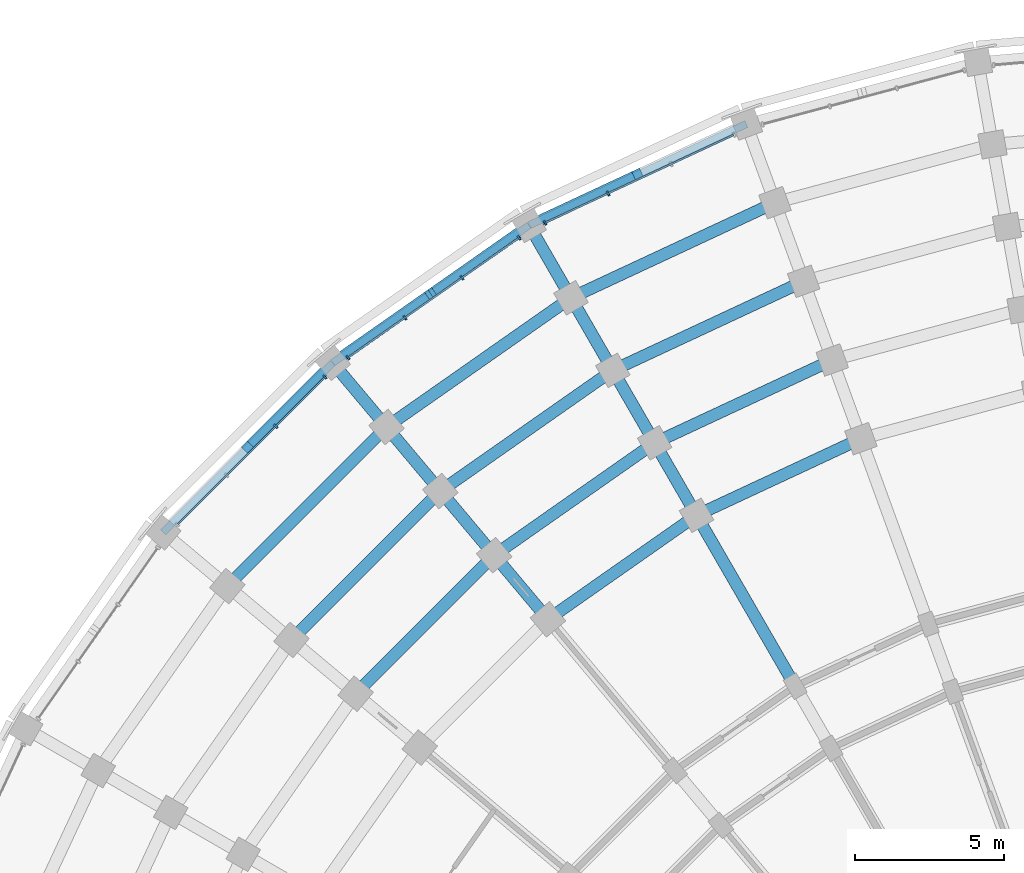
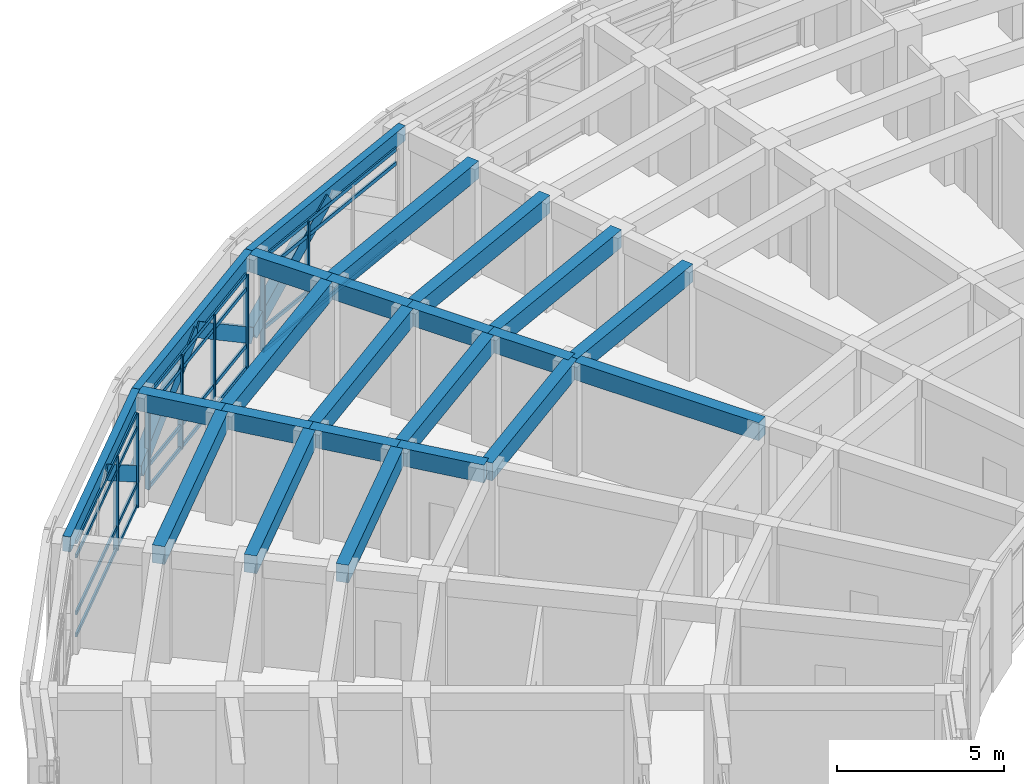
# One storey, part 23 of 97: 27 beams, 20 members, 3 elements without a shape of their own.
"""IFC4 building model written with IfcOpenShell, lengths in metres."""

from ifc_helpers import new_model, si_unit, direction, frame, origin, origin_2d, place, context, subcontext, project, spatial, rectangle, extrude, material, material_profile, profile_set, type_object, element, aggregate, save


model = new_model("IFC4")

# Units and contexts
model_context = context("Model", 3, precision=1e-05, world=origin(), true_north=direction((0.0, 1.0)))
body_context = subcontext(model_context, "Body", "Model", "MODEL_VIEW")
ifc_project = project(units=[si_unit("LENGTHUNIT", "METRE"), si_unit("AREAUNIT", "SQUARE_METRE"), si_unit("VOLUMEUNIT", "CUBIC_METRE"), si_unit("PLANEANGLEUNIT", "RADIAN"), si_unit("MASSUNIT", "GRAM", prefix="KILO")], contexts=[model_context])

# Site, building, storey
site_placement = place(None, origin())
site = spatial("IfcSite", under=ifc_project, at=site_placement, CompositionType="ELEMENT")
building_placement = place(site_placement, origin())
building = spatial("IfcBuilding", under=site, at=building_placement, Name="Kiranvali Square Residences", CompositionType="ELEMENT")
storey_placement = place(building_placement, frame((0.0, 0.0, 4.5)))
storey = spatial("IfcBuildingStorey", under=building, at=storey_placement, Name="L01", CompositionType="ELEMENT", Elevation=4.5)

# Beams
ifc_material_1 = material(Name="Concrete M40 (40 MPa)", Category="concrete")
ifc_material_profile_1 = material_profile(ifc_material_1, rectangle(XDim=0.35009765625, YDim=0.5, at=origin_2d()), Name="RC 350x500")
ifc_profile_set_1 = profile_set([ifc_material_profile_1], Name="Concrete M40 (40 MPa)")
beam_type_1 = type_object("IfcBeamType", Name="AR-M40-350x500", PredefinedType="USERDEFINED", material=ifc_profile_set_1)
beam_1_placement = place(storey_placement, frame((28.83349609375, 129.33154296875, 3.64990234375), z_axis=(-0.744959817365, -0.347401853205, -0.56951455021), x_axis=(0.422639631689, -0.906297821759, 0.0)))
element("IfcBeam", 1, at=beam_1_placement, inside=storey, type_object=beam_type_1, Name="Classical pointed Ottoman arch rib ARCH-A-CRV-7-02.2", ObjectType="ARCH RIB", PredefinedType="USERDEFINED", context=body_context, shape_type="SweptSolid", body=[
    extrude(rectangle(XDim=0.35009765625, YDim=0.5, at=origin_2d()), origin(), (0.0, 0.0, 1.0), 4.82861328125),
])
beam_2_placement = place(storey_placement, frame((25.167236328125, 127.6142578125, 0.89990234375), z_axis=(-0.673345915945, -0.47146348297, 0.569497551975), x_axis=(0.57356141334, -0.819162563309, 0.0)))
element("IfcBeam", 2, at=beam_2_placement, inside=storey, type_object=beam_type_1, Name="Classical pointed Ottoman arch rib ARCH-A-CRV-7-03.1", ObjectType="ARCH RIB", PredefinedType="USERDEFINED", context=body_context, shape_type="SweptSolid", body=[
    extrude(rectangle(XDim=0.35009765625, YDim=0.5, at=origin_2d()), origin(), (0.0, 0.0, 1.0), 4.828857421875),
])
beam_3_placement = place(storey_placement, frame((21.915771484375, 125.337646484375, 3.64990234375), z_axis=(-0.67331827867, -0.471479533574, -0.569516940072), x_axis=(0.573590313325, -0.819142327352, 0.0)))
element("IfcBeam", 3, at=beam_3_placement, inside=storey, type_object=beam_type_1, Name="Classical pointed Ottoman arch rib ARCH-A-CRV-7-03.2", ObjectType="ARCH RIB", PredefinedType="USERDEFINED", context=body_context, shape_type="SweptSolid", body=[
    extrude(rectangle(XDim=0.35009765625, YDim=0.5, at=origin_2d()), origin(), (0.0, 0.0, 1.0), 4.82861328125),
])
beam_4_placement = place(storey_placement, frame((18.603515625, 123.009765625, 0.89990234375), z_axis=(-0.581233735807, -0.581233735807, 0.569503897019), x_axis=(0.707106781187, -0.707106781187, 0.0)))
element("IfcBeam", 4, at=beam_4_placement, inside=storey, type_object=beam_type_1, Name="Classical pointed Ottoman arch rib ARCH-A-CRV-7-04.1", ObjectType="ARCH RIB", PredefinedType="USERDEFINED", context=body_context, shape_type="SweptSolid", body=[
    extrude(rectangle(XDim=0.35009765625, YDim=0.5, at=origin_2d()), origin(), (0.0, 0.0, 1.0), 4.828857421875),
])
ifc_material_2 = material(Name="Concrete M45 (45 MPa)", Category="concrete")
ifc_material_profile_2 = material_profile(ifc_material_2, rectangle(XDim=0.39990234375, YDim=0.64990234375, at=origin_2d()), Name="RC 400x650")
ifc_profile_set_2 = profile_set([ifc_material_profile_2], Name="Concrete M45 (45 MPa)")
beam_type_2 = type_object("IfcBeamType", Name="BM-M45-400x650", PredefinedType="BEAM", material=ifc_profile_set_2)
beam_5_placement = place(storey_placement, frame((36.297607421875, 120.501220703125, 3.655029296875), z_axis=(-0.906312656069, -0.42260781991, 0.0), x_axis=(0.42260781991, -0.906312656069, 0.0)))
element("IfcBeam", 5, at=beam_5_placement, inside=storey, type_object=beam_type_2, Name="L01 beam BM-A-L01-C02-R3", PredefinedType="BEAM", context=body_context, shape_type="SweptSolid", body=[
    extrude(rectangle(XDim=0.39990234375, YDim=0.64990234375, at=origin_2d()), origin(), (0.0, 0.0, 1.0), 6.06591796875),
])
beam_6_placement = place(storey_placement, frame((35.340087890625, 123.13232421875, 3.655029296875), z_axis=(-0.906318225223, -0.422595876255, 0.0), x_axis=(0.422595876255, -0.906318225223, 0.0)))
element("IfcBeam", 6, at=beam_6_placement, inside=storey, type_object=beam_type_2, Name="L01 beam BM-A-L01-C02-R4", PredefinedType="BEAM", context=body_context, shape_type="SweptSolid", body=[
    extrude(rectangle(XDim=0.39990234375, YDim=0.64990234375, at=origin_2d()), origin(), (0.0, 0.0, 1.0), 6.55419921875),
])
beam_7_placement = place(storey_placement, frame((34.38232421875, 125.763671875, 3.655029296875), z_axis=(-0.906297360311, -0.422640621205, 0.0), x_axis=(0.422640621205, -0.906297360311, 0.0)))
element("IfcBeam", 7, at=beam_7_placement, inside=storey, type_object=beam_type_2, Name="L01 beam BM-A-L01-C02-R5", PredefinedType="BEAM", context=body_context, shape_type="SweptSolid", body=[
    extrude(rectangle(XDim=0.39990234375, YDim=0.64990234375, at=origin_2d()), origin(), (0.0, 0.0, 1.0), 7.042236328125),
])
beam_8_placement = place(storey_placement, frame((33.4248046875, 128.394775390625, 3.655029296875), z_axis=(-0.90630982703, -0.422613886933, 0.0), x_axis=(0.422613886933, -0.90630982703, 0.0)))
element("IfcBeam", 8, at=beam_8_placement, inside=storey, type_object=beam_type_2, Name="L01 beam BM-A-L01-C02-R6", PredefinedType="BEAM", context=body_context, shape_type="SweptSolid", body=[
    extrude(rectangle(XDim=0.39990234375, YDim=0.64990234375, at=origin_2d()), origin(), (0.0, 0.0, 1.0), 7.5302734375),
])
beam_9_placement = place(storey_placement, frame((30.800048828125, 117.937744140625, 3.655029296875), z_axis=(-0.81913926159, -0.573594691504, 0.0), x_axis=(0.573594691504, -0.81913926159, 0.0)))
element("IfcBeam", 9, at=beam_9_placement, inside=storey, type_object=beam_type_2, Name="L01 beam BM-A-L01-C03-R3", PredefinedType="BEAM", context=body_context, shape_type="SweptSolid", body=[
    extrude(rectangle(XDim=0.39990234375, YDim=0.64990234375, at=origin_2d()), origin(), (0.0, 0.0, 1.0), 6.066162109375),
])
beam_10_placement = place(storey_placement, frame((29.39990234375, 120.362548828125, 3.655029296875), z_axis=(-0.819144409176, -0.573587340268, 0.0), x_axis=(0.573587340268, -0.819144409176, 0.0)))
element("IfcBeam", 10, at=beam_10_placement, inside=storey, type_object=beam_type_2, Name="L01 beam BM-A-L01-C03-R4", PredefinedType="BEAM", context=body_context, shape_type="SweptSolid", body=[
    extrude(rectangle(XDim=0.39990234375, YDim=0.64990234375, at=origin_2d()), origin(), (0.0, 0.0, 1.0), 6.553955078125),
])
beam_11_placement = place(storey_placement, frame((28.0, 122.787353515625, 3.655029296875), z_axis=(-0.819160249246, -0.57356471828, 0.0), x_axis=(0.57356471828, -0.819160249246, 0.0)))
element("IfcBeam", 11, at=beam_11_placement, inside=storey, type_object=beam_type_2, Name="L01 beam BM-A-L01-C03-R5", PredefinedType="BEAM", context=body_context, shape_type="SweptSolid", body=[
    extrude(rectangle(XDim=0.39990234375, YDim=0.64990234375, at=origin_2d()), origin(), (0.0, 0.0, 1.0), 7.0419921875),
])
beam_12_placement = place(storey_placement, frame((26.60009765625, 125.21240234375, 3.655029296875), z_axis=(-0.819143569597, -0.573588539275, 0.0), x_axis=(0.573588539275, -0.819143569597, 0.0)))
element("IfcBeam", 12, at=beam_12_placement, inside=storey, type_object=beam_type_2, Name="L01 beam BM-A-L01-C03-R6", PredefinedType="BEAM", context=body_context, shape_type="SweptSolid", body=[
    extrude(rectangle(XDim=0.39990234375, YDim=0.64990234375, at=origin_2d()), origin(), (0.0, 0.0, 1.0), 7.5302734375),
])
beam_13_placement = place(storey_placement, frame((24.03125, 116.603271484375, 3.655029296875), z_axis=(-0.707106781187, -0.707106781187, 0.0), x_axis=(0.707106781187, -0.707106781187, 0.0)))
element("IfcBeam", 13, at=beam_13_placement, inside=storey, type_object=beam_type_2, Name="L01 beam BM-A-L01-C04-R4", PredefinedType="BEAM", context=body_context, shape_type="SweptSolid", body=[
    extrude(rectangle(XDim=0.39990234375, YDim=0.64990234375, at=origin_2d()), origin(), (0.0, 0.0, 1.0), 6.55419921875),
])
beam_14_placement = place(storey_placement, frame((22.2314453125, 118.748291015625, 3.655029296875), z_axis=(-0.707106781187, -0.707106781187, 0.0), x_axis=(0.707106781187, -0.707106781187, 0.0)))
element("IfcBeam", 14, at=beam_14_placement, inside=storey, type_object=beam_type_2, Name="L01 beam BM-A-L01-C04-R5", PredefinedType="BEAM", context=body_context, shape_type="SweptSolid", body=[
    extrude(rectangle(XDim=0.39990234375, YDim=0.64990234375, at=origin_2d()), origin(), (0.0, 0.0, 1.0), 7.04248046875),
])
beam_15_placement = place(storey_placement, frame((20.431640625, 120.89306640625, 3.655029296875), z_axis=(-0.707106781187, -0.707106781187, 0.0), x_axis=(0.707106781187, -0.707106781187, 0.0)))
element("IfcBeam", 15, at=beam_15_placement, inside=storey, type_object=beam_type_2, Name="L01 beam BM-A-L01-C04-R6", PredefinedType="BEAM", context=body_context, shape_type="SweptSolid", body=[
    extrude(rectangle(XDim=0.39990234375, YDim=0.64990234375, at=origin_2d()), origin(), (0.0, 0.0, 1.0), 7.5302734375),
])
beam_16_placement = place(storey_placement, frame((34.10009765625, 112.221923828125, 3.655029296875), z_axis=(-0.500002094529, 0.866024194504, 0.0), x_axis=(-0.866024194504, -0.500002094529, 0.0)))
element("IfcBeam", 16, at=beam_16_placement, inside=storey, type_object=beam_type_2, Name="L01 beam BM-A-L01-RAD03-23", PredefinedType="BEAM", context=body_context, shape_type="SweptSolid", body=[
    extrude(rectangle(XDim=0.39990234375, YDim=0.64990234375, at=origin_2d()), origin(), (0.0, 0.0, 1.0), 6.60009765625),
])
beam_17_placement = place(storey_placement, frame((30.800048828125, 117.937744140625, 3.655029296875), z_axis=(-0.500049511043, 0.865996816683, 0.0), x_axis=(-0.865996816683, -0.500049511043, 0.0)))
element("IfcBeam", 17, at=beam_17_placement, inside=storey, type_object=beam_type_2, Name="L01 beam BM-A-L01-RAD03-34", PredefinedType="BEAM", context=body_context, shape_type="SweptSolid", body=[
    extrude(rectangle(XDim=0.39990234375, YDim=0.64990234375, at=origin_2d()), origin(), (0.0, 0.0, 1.0), 2.800048828125),
])
beam_18_placement = place(storey_placement, frame((29.39990234375, 120.362548828125, 3.655029296875), z_axis=(-0.49998411664, 0.866034573852, 0.0), x_axis=(-0.866034573852, -0.49998411664, 0.0)))
element("IfcBeam", 18, at=beam_18_placement, inside=storey, type_object=beam_type_2, Name="L01 beam BM-A-L01-RAD03-45", PredefinedType="BEAM", context=body_context, shape_type="SweptSolid", body=[
    extrude(rectangle(XDim=0.39990234375, YDim=0.64990234375, at=origin_2d()), origin(), (0.0, 0.0, 1.0), 2.7998046875),
])
for number, where, z_axis, x_axis, name in (
    (19, (28.0, 122.787353515625, 3.655029296875), (-0.49994636267, 0.866056369097, 0.0), (-0.866056369097, -0.49994636267, 0.0), "L01 beam BM-A-L01-RAD03-56"),
    (20, (26.60009765625, 125.21240234375, 3.655029296875), (-0.500049511043, 0.865996816683, 0.0), (-0.865996816683, -0.500049511043, 0.0), "L01 beam BM-A-L01-RAD03-67"),
    (21, (25.8310546875, 114.458251953125, 3.655029296875), (-0.642770757628, 0.766058583359, 0.0), (-0.766058583359, -0.642770757628, 0.0), "L01 beam BM-A-L01-RAD04-34"),
    (22, (24.03125, 116.603271484375, 3.655029296875), (-0.642770757628, 0.766058583359, 0.0), (-0.766058583359, -0.642770757628, 0.0), "L01 beam BM-A-L01-RAD04-45"),
):
    element("IfcBeam", number, at=place(storey_placement, frame(where, z_axis=z_axis, x_axis=x_axis)), inside=storey, type_object=beam_type_2, Name=name, PredefinedType="BEAM", context=body_context, shape_type="SweptSolid", body=[
        extrude(rectangle(XDim=0.39990234375, YDim=0.64990234375, at=origin_2d()), origin(), (0.0, 0.0, 1.0), 2.800048828125),
    ])
beam_19_placement = place(storey_placement, frame((22.2314453125, 118.748291015625, 3.655029296875), z_axis=(-0.642813692253, 0.76602255649, 0.0), x_axis=(-0.76602255649, -0.642813692253, 0.0)))
element("IfcBeam", 23, at=beam_19_placement, inside=storey, type_object=beam_type_2, Name="L01 beam BM-A-L01-RAD04-56", PredefinedType="BEAM", context=body_context, shape_type="SweptSolid", body=[
    extrude(rectangle(XDim=0.39990234375, YDim=0.64990234375, at=origin_2d()), origin(), (0.0, 0.0, 1.0), 2.7998046875),
])
beam_20_placement = place(storey_placement, frame((20.431640625, 120.89306640625, 3.655029296875), z_axis=(-0.642770757628, 0.766058583359, 0.0), x_axis=(-0.766058583359, -0.642770757628, 0.0)))
element("IfcBeam", 24, at=beam_20_placement, inside=storey, type_object=beam_type_2, Name="L01 beam BM-A-L01-RAD04-67", PredefinedType="BEAM", context=body_context, shape_type="SweptSolid", body=[
    extrude(rectangle(XDim=0.39990234375, YDim=0.64990234375, at=origin_2d()), origin(), (0.0, 0.0, 1.0), 2.800048828125),
])

# Curtain wall, members
ifc_material_3 = material(Name="Anodised bronze aluminium framing", Category="aluminium")
curtain_wall_type = type_object("IfcCurtainWallType", Name="CW-RET-SHOP", PredefinedType="USERDEFINED", material=ifc_material_3)
curtain_wall_1_placement = place(storey_placement, origin())
curtain_wall_1 = element("IfcCurtainWall", 25, at=curtain_wall_1_placement, inside=storey, type_object=curtain_wall_type, Name="Block A L01 rounded-corner arcade curtain wall 3", ObjectType="CURTAIN WALL", PredefinedType="USERDEFINED")
ifc_material_profile_3 = material_profile(ifc_material_3, rectangle(XDim=0.06494140625, YDim=0.159912109375, at=origin_2d()), Name="ALU 65x160")
ifc_profile_set_3 = profile_set([ifc_material_profile_3], Name="Anodised bronze aluminium framing")
member_type_1 = type_object("IfcMemberType", Name="CW-MUL-160", PredefinedType="MULLION", material=ifc_profile_set_3)
member_1_placement = place(storey_placement, frame((27.8427734375, 128.7041015625, 0.02001953125), z_axis=(0.0, 0.0, 1.0), x_axis=(-0.906307787037, -0.422618261741, 0.0)))
member_1 = element("IfcMember", 26, at=member_1_placement, type_object=member_type_1, Name="CW-A-L01-CRV-02 vertical mullion 3", PredefinedType="MULLION", context=body_context, shape_type="SweptSolid", body=[
    extrude(rectangle(XDim=0.06494140625, YDim=0.159912109375, at=origin_2d()), origin(), (0.0, 0.0, 1.0), 3.43994140625),
])
member_2_placement = place(storey_placement, frame((25.734619140625, 127.720947265625, 0.02001953125), z_axis=(0.0, 0.0, 1.0), x_axis=(-0.906307787037, -0.422618261741, 0.0)))
member_2 = element("IfcMember", 27, at=member_2_placement, type_object=member_type_1, Name="CW-A-L01-CRV-02 vertical mullion 4", PredefinedType="MULLION", context=body_context, shape_type="SweptSolid", body=[
    extrude(rectangle(XDim=0.06494140625, YDim=0.159912109375, at=origin_2d()), origin(), (0.0, 0.0, 1.0), 3.43994140625),
])

curtain_wall_2_placement = place(storey_placement, origin())
curtain_wall_2 = element("IfcCurtainWall", 28, at=curtain_wall_2_placement, inside=storey, type_object=curtain_wall_type, Name="Block A L01 rounded-corner arcade curtain wall 4", ObjectType="CURTAIN WALL", PredefinedType="USERDEFINED")
member_3_placement = place(storey_placement, frame((24.860107421875, 127.216064453125, 0.02001953125), z_axis=(0.0, 0.0, 1.0), x_axis=(-0.819152044289, -0.573576436351, 0.0)))
member_3 = element("IfcMember", 29, at=member_3_placement, type_object=member_type_1, Name="CW-A-L01-CRV-03 vertical mullion 1", PredefinedType="MULLION", context=body_context, shape_type="SweptSolid", body=[
    extrude(rectangle(XDim=0.06494140625, YDim=0.159912109375, at=origin_2d()), origin(), (0.0, 0.0, 1.0), 3.43994140625),
])
member_4_placement = place(storey_placement, frame((22.95458984375, 125.8818359375, 0.02001953125), z_axis=(0.0, 0.0, 1.0), x_axis=(-0.819152044289, -0.573576436351, 0.0)))
member_4 = element("IfcMember", 30, at=member_4_placement, type_object=member_type_1, Name="CW-A-L01-CRV-03 vertical mullion 2", PredefinedType="MULLION", context=body_context, shape_type="SweptSolid", body=[
    extrude(rectangle(XDim=0.06494140625, YDim=0.159912109375, at=origin_2d()), origin(), (0.0, 0.0, 1.0), 3.43994140625),
])
member_5_placement = place(storey_placement, frame((21.04931640625, 124.547607421875, 0.02001953125), z_axis=(0.0, 0.0, 1.0), x_axis=(-0.819152044289, -0.573576436351, 0.0)))
member_5 = element("IfcMember", 31, at=member_5_placement, type_object=member_type_1, Name="CW-A-L01-CRV-03 vertical mullion 3", PredefinedType="MULLION", context=body_context, shape_type="SweptSolid", body=[
    extrude(rectangle(XDim=0.06494140625, YDim=0.159912109375, at=origin_2d()), origin(), (0.0, 0.0, 1.0), 3.43994140625),
])
member_6_placement = place(storey_placement, frame((19.143798828125, 123.21337890625, 0.02001953125), z_axis=(0.0, 0.0, 1.0), x_axis=(-0.819152044289, -0.573576436351, 0.0)))
member_6 = element("IfcMember", 32, at=member_6_placement, type_object=member_type_1, Name="CW-A-L01-CRV-03 vertical mullion 4", PredefinedType="MULLION", context=body_context, shape_type="SweptSolid", body=[
    extrude(rectangle(XDim=0.06494140625, YDim=0.159912109375, at=origin_2d()), origin(), (0.0, 0.0, 1.0), 3.43994140625),
])

curtain_wall_3_placement = place(storey_placement, origin())
curtain_wall_3 = element("IfcCurtainWall", 33, at=curtain_wall_3_placement, inside=storey, type_object=curtain_wall_type, Name="Block A L01 rounded-corner arcade curtain wall 5", ObjectType="CURTAIN WALL", PredefinedType="USERDEFINED")
member_7_placement = place(storey_placement, frame((18.3701171875, 122.564208984375, 0.02001953125), z_axis=(0.0, 0.0, 1.0), x_axis=(-0.707106781187, -0.707106781187, 0.0)))
member_7 = element("IfcMember", 34, at=member_7_placement, type_object=member_type_1, Name="CW-A-L01-CRV-04 vertical mullion 1", PredefinedType="MULLION", context=body_context, shape_type="SweptSolid", body=[
    extrude(rectangle(XDim=0.06494140625, YDim=0.159912109375, at=origin_2d()), origin(), (0.0, 0.0, 1.0), 3.43994140625),
])
member_8_placement = place(storey_placement, frame((16.725341796875, 120.91943359375, 0.02001953125), z_axis=(0.0, 0.0, 1.0), x_axis=(-0.707106781187, -0.707106781187, 0.0)))
member_8 = element("IfcMember", 35, at=member_8_placement, type_object=member_type_1, Name="CW-A-L01-CRV-04 vertical mullion 2", PredefinedType="MULLION", context=body_context, shape_type="SweptSolid", body=[
    extrude(rectangle(XDim=0.06494140625, YDim=0.159912109375, at=origin_2d()), origin(), (0.0, 0.0, 1.0), 3.43994140625),
])

# Member
ifc_material_profile_4 = material_profile(ifc_material_3, rectangle(XDim=0.06494140625, YDim=0.139892578125, at=origin_2d()), Name="ALU 65x140")
ifc_profile_set_4 = profile_set([ifc_material_profile_4], Name="Anodised bronze aluminium framing")
member_type_2 = type_object("IfcMemberType", Name="CW-TRN-140", PredefinedType="MULLION", material=ifc_profile_set_4)
member_9_placement = place(storey_placement, frame((32.050048828125, 130.666015625, 0.0400390625), z_axis=(-0.90629694339, -0.422641515237, 0.0), x_axis=(0.422641515237, -0.90629694339, 0.0)))
member_9 = element("IfcMember", 36, at=member_9_placement, type_object=member_type_2, Name="CW-A-L01-CRV-02 horizontal transom 1", PredefinedType="MULLION", context=body_context, shape_type="SweptSolid", body=[
    extrude(rectangle(XDim=0.06494140625, YDim=0.139892578125, at=origin_2d()), origin(), (0.0, 0.0, 1.0), 6.95849609375),
])

member_10_placement = place(storey_placement, frame((32.050048828125, 130.666015625, 0.85009765625), z_axis=(-0.90629694339, -0.422641515237, 0.0), x_axis=(0.422641515237, -0.90629694339, 0.0)))
member_10 = element("IfcMember", 37, at=member_10_placement, type_object=member_type_2, Name="CW-A-L01-CRV-02 horizontal transom 2", PredefinedType="MULLION", context=body_context, shape_type="SweptSolid", body=[
    extrude(rectangle(XDim=0.06494140625, YDim=0.139892578125, at=origin_2d()), origin(), (0.0, 0.0, 1.0), 6.95849609375),
])

member_11_placement = place(storey_placement, frame((32.050048828125, 130.666015625, 2.929931640625), z_axis=(-0.90629694339, -0.422641515237, 0.0), x_axis=(0.422641515237, -0.90629694339, 0.0)))
member_11 = element("IfcMember", 38, at=member_11_placement, type_object=member_type_2, Name="CW-A-L01-CRV-02 horizontal transom 3", PredefinedType="MULLION", context=body_context, shape_type="SweptSolid", body=[
    extrude(rectangle(XDim=0.06494140625, YDim=0.139892578125, at=origin_2d()), origin(), (0.0, 0.0, 1.0), 6.95849609375),
])

member_12_placement = place(storey_placement, frame((32.050048828125, 130.666015625, 3.43994140625), z_axis=(-0.90629694339, -0.422641515237, 0.0), x_axis=(0.422641515237, -0.90629694339, 0.0)))
member_12 = element("IfcMember", 39, at=member_12_placement, type_object=member_type_2, Name="CW-A-L01-CRV-02 horizontal transom 4", PredefinedType="MULLION", context=body_context, shape_type="SweptSolid", body=[
    extrude(rectangle(XDim=0.06494140625, YDim=0.139892578125, at=origin_2d()), origin(), (0.0, 0.0, 1.0), 6.95849609375),
])

aggregate(curtain_wall_1, [member_1, member_2, member_9, member_10, member_11, member_12])

member_13_placement = place(storey_placement, frame((24.851806640625, 127.210205078125, 0.0400390625), z_axis=(-0.819164332124, -0.573558887104, 0.0), x_axis=(0.573558887104, -0.819164332124, 0.0)))
member_13 = element("IfcMember", 40, at=member_13_placement, type_object=member_type_2, Name="CW-A-L01-CRV-03 horizontal transom 1", PredefinedType="MULLION", context=body_context, shape_type="SweptSolid", body=[
    extrude(rectangle(XDim=0.06494140625, YDim=0.139892578125, at=origin_2d()), origin(), (0.0, 0.0, 1.0), 6.958251953125),
])

member_14_placement = place(storey_placement, frame((24.851806640625, 127.210205078125, 0.85009765625), z_axis=(-0.819164332124, -0.573558887104, 0.0), x_axis=(0.573558887104, -0.819164332124, 0.0)))
member_14 = element("IfcMember", 41, at=member_14_placement, type_object=member_type_2, Name="CW-A-L01-CRV-03 horizontal transom 2", PredefinedType="MULLION", context=body_context, shape_type="SweptSolid", body=[
    extrude(rectangle(XDim=0.06494140625, YDim=0.139892578125, at=origin_2d()), origin(), (0.0, 0.0, 1.0), 6.958251953125),
])

member_15_placement = place(storey_placement, frame((24.851806640625, 127.210205078125, 2.929931640625), z_axis=(-0.819164332124, -0.573558887104, 0.0), x_axis=(0.573558887104, -0.819164332124, 0.0)))
member_15 = element("IfcMember", 42, at=member_15_placement, type_object=member_type_2, Name="CW-A-L01-CRV-03 horizontal transom 3", PredefinedType="MULLION", context=body_context, shape_type="SweptSolid", body=[
    extrude(rectangle(XDim=0.06494140625, YDim=0.139892578125, at=origin_2d()), origin(), (0.0, 0.0, 1.0), 6.958251953125),
])

member_16_placement = place(storey_placement, frame((24.851806640625, 127.210205078125, 3.43994140625), z_axis=(-0.819164332124, -0.573558887104, 0.0), x_axis=(0.573558887104, -0.819164332124, 0.0)))
member_16 = element("IfcMember", 43, at=member_16_placement, type_object=member_type_2, Name="CW-A-L01-CRV-03 horizontal transom 4", PredefinedType="MULLION", context=body_context, shape_type="SweptSolid", body=[
    extrude(rectangle(XDim=0.06494140625, YDim=0.139892578125, at=origin_2d()), origin(), (0.0, 0.0, 1.0), 6.958251953125),
])

aggregate(curtain_wall_2, [member_3, member_4, member_5, member_6, member_13, member_14, member_15, member_16])

member_17_placement = place(storey_placement, frame((18.363037109375, 122.55712890625, 0.0400390625), z_axis=(-0.707106781187, -0.707106781187, 0.0), x_axis=(0.707106781187, -0.707106781187, 0.0)))
member_17 = element("IfcMember", 44, at=member_17_placement, type_object=member_type_2, Name="CW-A-L01-CRV-04 horizontal transom 1", PredefinedType="MULLION", context=body_context, shape_type="SweptSolid", body=[
    extrude(rectangle(XDim=0.06494140625, YDim=0.139892578125, at=origin_2d()), origin(), (0.0, 0.0, 1.0), 6.958251953125),
])

member_18_placement = place(storey_placement, frame((18.363037109375, 122.55712890625, 0.85009765625), z_axis=(-0.707106781187, -0.707106781187, 0.0), x_axis=(0.707106781187, -0.707106781187, 0.0)))
member_18 = element("IfcMember", 45, at=member_18_placement, type_object=member_type_2, Name="CW-A-L01-CRV-04 horizontal transom 2", PredefinedType="MULLION", context=body_context, shape_type="SweptSolid", body=[
    extrude(rectangle(XDim=0.06494140625, YDim=0.139892578125, at=origin_2d()), origin(), (0.0, 0.0, 1.0), 6.958251953125),
])

member_19_placement = place(storey_placement, frame((18.363037109375, 122.55712890625, 2.929931640625), z_axis=(-0.707106781187, -0.707106781187, 0.0), x_axis=(0.707106781187, -0.707106781187, 0.0)))
member_19 = element("IfcMember", 46, at=member_19_placement, type_object=member_type_2, Name="CW-A-L01-CRV-04 horizontal transom 3", PredefinedType="MULLION", context=body_context, shape_type="SweptSolid", body=[
    extrude(rectangle(XDim=0.06494140625, YDim=0.139892578125, at=origin_2d()), origin(), (0.0, 0.0, 1.0), 6.958251953125),
])

member_20_placement = place(storey_placement, frame((18.363037109375, 122.55712890625, 3.43994140625), z_axis=(-0.707106781187, -0.707106781187, 0.0), x_axis=(0.707106781187, -0.707106781187, 0.0)))
member_20 = element("IfcMember", 47, at=member_20_placement, type_object=member_type_2, Name="CW-A-L01-CRV-04 horizontal transom 4", PredefinedType="MULLION", context=body_context, shape_type="SweptSolid", body=[
    extrude(rectangle(XDim=0.06494140625, YDim=0.139892578125, at=origin_2d()), origin(), (0.0, 0.0, 1.0), 6.958251953125),
])

aggregate(curtain_wall_3, [member_7, member_8, member_17, member_18, member_19, member_20])

# Beams
ifc_material_profile_5 = material_profile(ifc_material_1, rectangle(XDim=0.25, YDim=0.550048828125, at=origin_2d()), Name="RC 250x550")
ifc_profile_set_5 = profile_set([ifc_material_profile_5], Name="Concrete M40 (40 MPa)")
beam_type_3 = type_object("IfcBeamType", Name="SPN-M40-250x550", PredefinedType="SPANDREL", material=ifc_profile_set_5)
for number, where, z_axis, x_axis, name in (
    (48, (32.467041015625, 131.02587890625, 3.705078125), (-0.906309113636, -0.422615416827, 0.0), (0.422615416827, -0.906309113636, 0.0), "L01 beam BM-A-L01-C02-R7"),
    (49, (25.199951171875, 127.63720703125, 3.705078125), (-0.819147515001, -0.573582904791, 0.0), (0.573582904791, -0.819147515001, 0.0), "L01 beam BM-A-L01-C03-R7"),
):
    element("IfcBeam", number, at=place(storey_placement, frame(where, z_axis=z_axis, x_axis=x_axis)), inside=storey, type_object=beam_type_3, Name=name, PredefinedType="SPANDREL", context=body_context, shape_type="SweptSolid", body=[
        extrude(rectangle(XDim=0.25, YDim=0.550048828125, at=origin_2d()), origin(), (0.0, 0.0, 1.0), 8.018310546875),
    ])
beam_21_placement = place(storey_placement, frame((18.6318359375, 123.0380859375, 3.705078125), z_axis=(-0.707106781187, -0.707106781187, 0.0), x_axis=(0.707106781187, -0.707106781187, 0.0)))
element("IfcBeam", 50, at=beam_21_placement, inside=storey, type_object=beam_type_3, Name="L01 beam BM-A-L01-C04-R7", PredefinedType="SPANDREL", context=body_context, shape_type="SweptSolid", body=[
    extrude(rectangle(XDim=0.25, YDim=0.550048828125, at=origin_2d()), origin(), (0.0, 0.0, 1.0), 8.0185546875),
])

save(model, "model.ifc")
